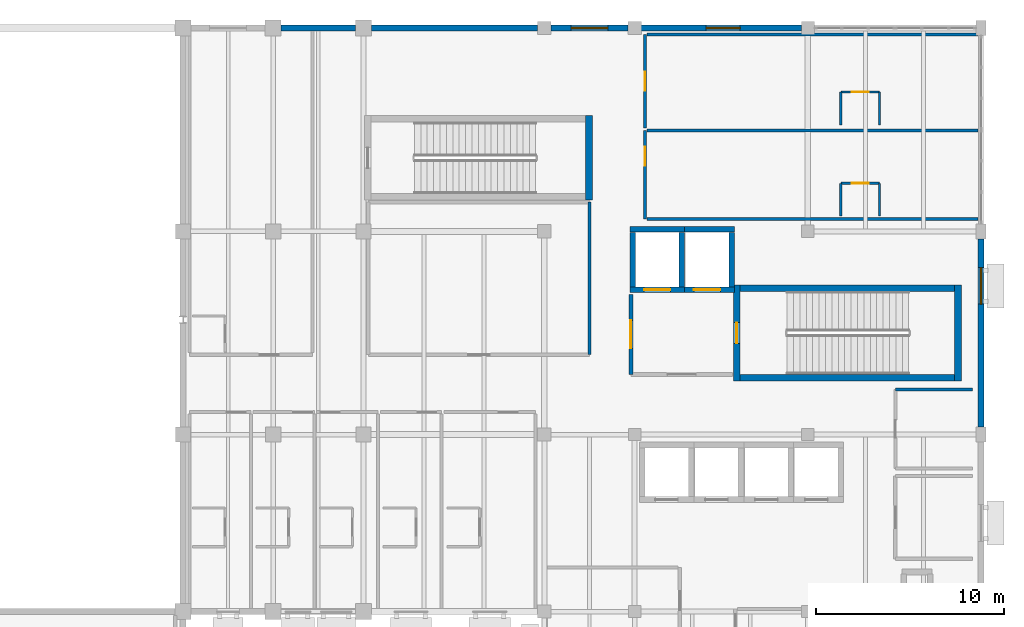
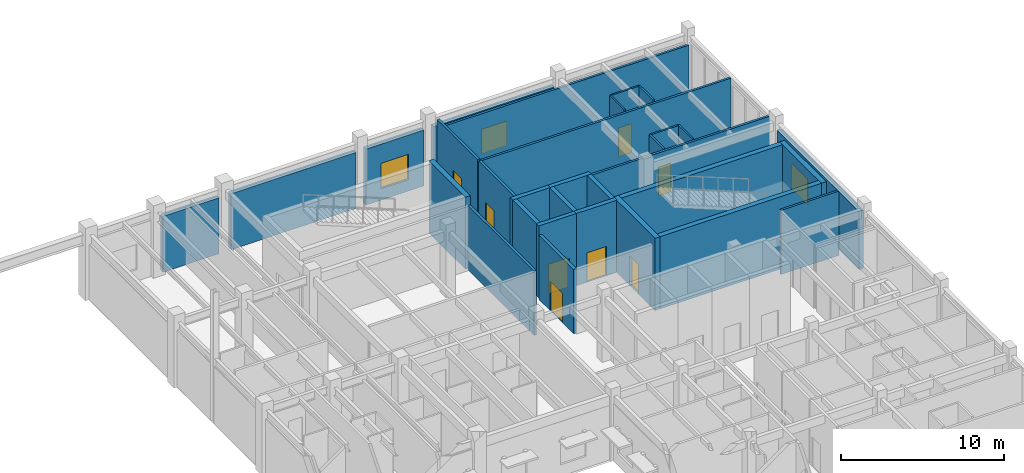
# One storey, part 56 of 68: 31 walls, 8 doors, 3 windows, 11 openings.
"""IFC4 building model written with IfcOpenShell, lengths in metres."""

import ifcopenshell
import ifcopenshell.guid

model = None  # the IFC model being written
_history = None  # IfcOwnerHistory: only IFC2X3 demands one
_inside = {}  # id of a spatial element -> (the spatial element, [elements in it])
_under = {}  # id of a project, library or spatial element -> (it, [spatial elements below it])
_declared = {}  # id of a project -> (the project, [libraries it declares])
_typed = {}  # id of a type object -> (the type object, [elements of that type])
_made_of = {}  # id of a material, layer set ... -> (it, [elements and type objects made of it])


def new_model(schema):
    """Start an empty IFC model of exactly this schema.

    Asked for "IFC4X3", IfcOpenShell would pick the latest addendum, in which some entities
    have other attributes; the version numbers below select the first issue.
    IFC2X3 requires an IfcOwnerHistory on every rooted entity: one is made here for all.
    """
    global model, _history
    if schema == "IFC4X3":
        model = ifcopenshell.file(schema_version=(4, 3, 0, 0))
    else:
        model = ifcopenshell.file(schema=schema)
    _inside.clear()
    _under.clear()
    _declared.clear()
    _typed.clear()
    _made_of.clear()
    _history = None
    if model.schema == "IFC2X3":
        org = make("IfcOrganization", Name="unknown")
        user = make(
            "IfcPersonAndOrganization",
            ThePerson=make("IfcPerson", FamilyName="unknown"),
            TheOrganization=org,
        )
        app = make(
            "IfcApplication",
            ApplicationDeveloper=org,
            Version="unknown",
            ApplicationFullName="unknown",
            ApplicationIdentifier="unknown",
        )
        _history = make(
            "IfcOwnerHistory",
            OwningUser=user,
            OwningApplication=app,
            ChangeAction="ADDED",
            CreationDate=0,
        )
    return model


def make(cls, **values):
    """One entity of the class cls with the attributes given. An attribute that is None is left unset."""
    return model.create_entity(
        cls, **{name: value for name, value in values.items() if value is not None}
    )


def rooted(cls, **values):
    """An entity with a GlobalId (a new one), such as an element, a storey or a relation."""
    return make(cls, GlobalId=ifcopenshell.guid.new(), OwnerHistory=_history, **values)


def si_unit(unit_type, name, prefix=None):
    """IfcSIUnit, for example si_unit("LENGTHUNIT", "METRE", prefix="MILLI")."""
    return make("IfcSIUnit", UnitType=unit_type, Prefix=prefix, Name=name)


def assignment(units):
    """IfcUnitAssignment: the units of a project."""
    return None if units is None else make("IfcUnitAssignment", Units=units)


def point(xyz):
    """IfcCartesianPoint."""
    return None if xyz is None else make("IfcCartesianPoint", Coordinates=xyz)


def direction(xyz):
    """IfcDirection."""
    return None if xyz is None else make("IfcDirection", DirectionRatios=xyz)


def frame(location, z_axis=None, x_axis=None):
    """IfcAxis2Placement3D, a coordinate frame: its origin and axes. An axis left out is left unset."""
    return make(
        "IfcAxis2Placement3D",
        Location=point(location),
        Axis=direction(z_axis),
        RefDirection=direction(x_axis),
    )


def frame_2d(location, x_axis=None):
    """IfcAxis2Placement2D, a coordinate frame in the plane: its origin and x axis."""
    return make(
        "IfcAxis2Placement2D", Location=point(location), RefDirection=direction(x_axis)
    )


def origin():
    """The frame at (0, 0, 0) with its axes left unset."""
    return frame((0.0, 0.0, 0.0))


def place(relative_to, where):
    """IfcLocalPlacement: puts the frame where relative to a parent placement (None: the world)."""
    return make(
        "IfcLocalPlacement", PlacementRelTo=relative_to, RelativePlacement=where
    )


def context(
    kind, dimensions, precision=None, world=None, true_north=None, identifier=None
):
    """IfcGeometricRepresentationContext, for example the 3D "Model" context."""
    return make(
        "IfcGeometricRepresentationContext",
        ContextIdentifier=identifier,
        ContextType=kind,
        CoordinateSpaceDimension=dimensions,
        Precision=precision,
        WorldCoordinateSystem=world,
        TrueNorth=true_north,
    )


def subcontext(parent, identifier, kind, view, scale=None):
    """IfcGeometricRepresentationSubContext, for example "Body" below "Model"."""
    return make(
        "IfcGeometricRepresentationSubContext",
        ContextIdentifier=identifier,
        ContextType=kind,
        ParentContext=parent,
        TargetScale=scale,
        TargetView=view,
    )


def project(units=None, contexts=None):
    """IfcProject with its units and contexts."""
    return rooted(
        "IfcProject",
        Name="project",
        RepresentationContexts=contexts,
        UnitsInContext=assignment(units),
    )


def spatial(cls, under=None, at=None, **own):
    """A site, building, storey or space (cls), placed at a placement, below another one or the project."""
    s = rooted(cls, ObjectPlacement=at, **own)
    if under is not None:
        _under.setdefault(under.id(), (under, []))[1].append(s)
    return s


def profile(cls, at=None, kind="AREA", **sizes):
    """A parametric profile (cls). Its sizes go by their IFC names, for example OverallWidth=200.0."""
    return make(cls, ProfileType=kind, Position=at, **sizes)


def rectangle(**sizes):
    """IfcRectangleProfileDef."""
    return profile("IfcRectangleProfileDef", **sizes)


def extrude(swept, where, along, depth):
    """IfcExtrudedAreaSolid: the profile swept, set in the frame where, extruded along a direction by depth."""
    return make(
        "IfcExtrudedAreaSolid",
        SweptArea=swept,
        Position=where,
        ExtrudedDirection=direction(along),
        Depth=depth,
    )


def shape(context_of_items, identifier, shape_type, items):
    """IfcShapeRepresentation: the items that make up one representation, for example the "Body"."""
    return make(
        "IfcShapeRepresentation",
        ContextOfItems=context_of_items,
        RepresentationIdentifier=identifier,
        RepresentationType=shape_type,
        Items=items,
    )


def material(Name=None, Category=None):
    """IfcMaterial."""
    return make("IfcMaterial", Name=Name, Category=Category)


def layer(
    of_material, thickness, ventilated=None, Name=None, Category=None, Priority=None
):
    """IfcMaterialLayer: one layer of a wall or slab, of a material (None: an air gap)."""
    return make(
        "IfcMaterialLayer",
        Material=of_material,
        LayerThickness=thickness,
        IsVentilated=ventilated,
        Name=Name,
        Category=Category,
        Priority=Priority,
    )


def layer_set(layers, Name=None):
    """IfcMaterialLayerSet."""
    return make("IfcMaterialLayerSet", MaterialLayers=layers, LayerSetName=Name)


def made_of(thing, what):
    """Note that an element or type object is made of a material, layer set ...; save() writes the relation."""
    if what is not None:
        _made_of.setdefault(what.id(), (what, []))[1].append(thing)
    return thing


def type_object(cls, material=None, **own):
    """A type object (cls), such as IfcWallType, which elements share."""
    return made_of(rooted(cls, **own), material)


def element(
    cls,
    number,
    at=None,
    inside=None,
    cuts=None,
    type_object=None,
    material=None,
    context=None,
    identifier="Body",
    shape_type=None,
    held_by="IfcProductDefinitionShape",
    body=None,
    shapes=None,
    **own,
):
    """One element of the class cls, such as IfcWall. Its Tag is "e" and its number.

    at: its placement. inside: the storey or other place that contains it. cuts: it is an
    opening in that element (IfcRelVoidsElement). A single representation is given by context,
    identifier, shape_type and body (its items); several are given by shapes. held_by: the class
    of the entity that holds the representations. save() writes the other relations.
    """
    e = rooted(cls, Tag="e%d" % number, ObjectPlacement=at, **own)
    if body is not None:
        shapes = [shape(context, identifier, shape_type, body)]
    if shapes is not None:
        e.Representation = make(held_by, Representations=shapes)
    if inside is not None:
        _inside.setdefault(inside.id(), (inside, []))[1].append(e)
    if cuts is not None:
        rooted(
            "IfcRelVoidsElement", RelatingBuildingElement=cuts, RelatedOpeningElement=e
        )
    if type_object is not None:
        _typed.setdefault(type_object.id(), (type_object, []))[1].append(e)
    return made_of(e, material)


def fill(opening, filler):
    """IfcRelFillsElement: the door or window that sits in an opening."""
    return rooted(
        "IfcRelFillsElement",
        RelatingOpeningElement=opening,
        RelatedBuildingElement=filler,
    )


def aggregate(whole, parts):
    """IfcRelAggregates: a whole, such as a stair, and the parts it consists of."""
    return rooted("IfcRelAggregates", RelatingObject=whole, RelatedObjects=parts)


def save(model, path):
    """Write the relations noted so far, then the file.

    IfcRelAggregates (storeys below a building ...), IfcRelContainedInSpatialStructure (elements
    in a storey), IfcRelDefinesByType, IfcRelAssociatesMaterial and IfcRelDeclares: one each for
    every whole, place, type object, material and project.
    """
    for whole, parts in _under.values():
        aggregate(whole, parts)
    for where, things in _inside.values():
        rooted(
            "IfcRelContainedInSpatialStructure",
            RelatedElements=things,
            RelatingStructure=where,
        )
    for kind, things in _typed.values():
        rooted("IfcRelDefinesByType", RelatedObjects=things, RelatingType=kind)
    for what, things in _made_of.values():
        rooted("IfcRelAssociatesMaterial", RelatedObjects=things, RelatingMaterial=what)
    for by, libraries in _declared.values():
        rooted("IfcRelDeclares", RelatingContext=by, RelatedDefinitions=libraries)
    model.write(path)


model = new_model("IFC4")

# Units and contexts
model_context = context("Model", 3, precision=1e-05, world=origin(), true_north=direction((0.0, 1.0)))
body_context = subcontext(model_context, "Body", "Model", "MODEL_VIEW")
ifc_project = project(units=[si_unit("LENGTHUNIT", "METRE"), si_unit("AREAUNIT", "SQUARE_METRE"), si_unit("VOLUMEUNIT", "CUBIC_METRE"), si_unit("PLANEANGLEUNIT", "RADIAN"), si_unit("MASSUNIT", "GRAM", prefix="KILO")], contexts=[model_context])

# Site, building, storey
site_placement = place(None, origin())
site = spatial("IfcSite", under=ifc_project, at=site_placement, CompositionType="ELEMENT")
building_placement = place(site_placement, origin())
building = spatial("IfcBuilding", under=site, at=building_placement, Name="Veldera Park Congress Hotel", CompositionType="ELEMENT")
storey_placement = place(building_placement, frame((0.0, 0.0, 10.800048828125)))
storey = spatial("IfcBuildingStorey", under=building, at=storey_placement, Name="L02", CompositionType="ELEMENT", Elevation=10.800048828125)

# Wall, opening, window
ifc_material_1 = material(Name="Cross-laminated timber CLT V2M1.1", Category="wood")
ifc_layer_1 = layer(ifc_material_1, 0.320068359375)
ifc_layer_set_1 = layer_set([ifc_layer_1], Name="Cross-laminated timber CLT V2M1.1")
wall_type_1 = type_object("IfcWallType", Name="EW-CLT320", PredefinedType="STANDARD", material=ifc_layer_set_1)
wall_1_placement = place(storey_placement, frame((84.0, 36.798095703125, 0.0), z_axis=(0.0, 0.0, 1.0), x_axis=(0.0, 1.0, 0.0)))
wall_1 = element("IfcWall", 1, at=wall_1_placement, inside=storey, type_object=wall_type_1, Name="L02 Exterior Wall EW3-L02-0185", PredefinedType="STANDARD", context=body_context, shape_type="SweptSolid", body=[
    extrude(rectangle(XDim=10.00390625, YDim=0.320068359375, at=frame_2d((5.001953125, 0.0))), origin(), (0.0, 0.0, 1.0), 4.33203125),
])
opening_1_placement = place(wall_1_placement, frame((6.528076171875, 0.0, 0.85009765625)))
opening_1 = element("IfcOpeningElement", 2, at=opening_1_placement, cuts=wall_1, Name="Opening WIN-1950", PredefinedType="OPENING", context=body_context, shape_type="SweptSolid", body=[
    extrude(rectangle(XDim=1.949951171875, YDim=1.89990234375, at=frame_2d((0.97509765625, 0.949951171875))), frame((0.0, 0.172119140625, 0.0), z_axis=(0.0, -1.0, 0.0), x_axis=(1.0, 0.0, 0.0)), (0.0, 0.0, 1.0), 0.343994140625),
])
ifc_material_2 = material(Name="Low-E Triple Insulating Glass Unit (SHGC 0.22)", Category="glass")
window_type_1 = type_object("IfcWindowType", Name="WIN-1950", PartitioningType="DOUBLE_PANEL_VERTICAL", PredefinedType="WINDOW", material=ifc_material_2)
window_1_placement = place(opening_1_placement, origin())
window_1 = element("IfcWindow", 3, at=window_1_placement, inside=storey, type_object=window_type_1, Name="L02 Window WIN-1950 181", OverallHeight=1.89990234375, OverallWidth=1.949951171875, PartitioningType="DOUBLE_PANEL_VERTICAL", PredefinedType="WINDOW", context=body_context, shape_type="SweptSolid", body=[
    extrude(rectangle(XDim=1.949951171875, YDim=1.89990234375, at=frame_2d((0.97509765625, 0.949951171875))), frame((0.0, 0.030029296875, 0.0), z_axis=(0.0, -1.0, 0.0), x_axis=(1.0, 0.0, 0.0)), (0.0, 0.0, 1.0), 0.06005859375),
])
fill(opening_1, window_1)

wall_2_placement = place(storey_placement, frame((74.451904296875, 58.0, 0.0), z_axis=(0.0, 0.0, 1.0), x_axis=(-1.0, 0.0, 0.0)))
wall_2 = element("IfcWall", 4, at=wall_2_placement, inside=storey, type_object=wall_type_1, Name="L02 Exterior Wall EW3-L02-0186", PredefinedType="STANDARD", context=body_context, shape_type="SweptSolid", body=[
    extrude(rectangle(XDim=8.50390625, YDim=0.320068359375, at=frame_2d((4.251953125, 0.0))), origin(), (0.0, 0.0, 1.0), 4.182861328125),
])
opening_2_placement = place(wall_2_placement, frame((3.2509765625, 0.0, 0.85009765625)))
opening_2 = element("IfcOpeningElement", 5, at=opening_2_placement, cuts=wall_2, Name="Opening WIN-1800", PredefinedType="OPENING", context=body_context, shape_type="SweptSolid", body=[
    extrude(rectangle(XDim=1.800048828125, YDim=1.85009765625, at=frame_2d((0.89990234375, 0.925048828125))), frame((0.0, 0.172119140625, 0.0), z_axis=(0.0, -1.0, 0.0), x_axis=(1.0, 0.0, 0.0)), (0.0, 0.0, 1.0), 0.343994140625),
])
window_type_2 = type_object("IfcWindowType", Name="WIN-1800", PartitioningType="SINGLE_PANEL", PredefinedType="WINDOW", material=ifc_material_2)
window_2_placement = place(opening_2_placement, origin())
window_2 = element("IfcWindow", 6, at=window_2_placement, inside=storey, type_object=window_type_2, Name="L02 Window WIN-1800 398", OverallHeight=1.85009765625, OverallWidth=1.800048828125, PartitioningType="SINGLE_PANEL", PredefinedType="WINDOW", context=body_context, shape_type="SweptSolid", body=[
    extrude(rectangle(XDim=1.800048828125, YDim=1.85009765625, at=frame_2d((0.89990234375, 0.925048828125))), frame((0.0, 0.030029296875, 0.0), z_axis=(0.0, -1.0, 0.0), x_axis=(1.0, 0.0, 0.0)), (0.0, 0.0, 1.0), 0.06005859375),
])
fill(opening_2, window_2)

wall_3_placement = place(storey_placement, frame((65.251953125, 58.0, 0.0), z_axis=(0.0, 0.0, 1.0), x_axis=(-1.0, 0.0, 0.0)))
wall_3 = element("IfcWall", 7, at=wall_3_placement, inside=storey, type_object=wall_type_1, Name="L02 Exterior Wall EW3-L02-0187", PredefinedType="STANDARD", context=body_context, shape_type="SweptSolid", body=[
    extrude(rectangle(XDim=4.10400390625, YDim=0.320068359375, at=frame_2d((2.052001953125, 0.0))), origin(), (0.0, 0.0, 1.0), 4.182861328125),
])
opening_3_placement = place(wall_3_placement, frame((1.076904296875, 0.0, 0.85009765625)))
opening_3 = element("IfcOpeningElement", 8, at=opening_3_placement, cuts=wall_3, Name="Opening WIN-1950", PredefinedType="OPENING", context=body_context, shape_type="SweptSolid", body=[
    extrude(rectangle(XDim=1.949951171875, YDim=1.89990234375, at=frame_2d((0.97509765625, 0.949951171875))), frame((0.0, 0.172119140625, 0.0), z_axis=(0.0, -1.0, 0.0), x_axis=(1.0, 0.0, 0.0)), (0.0, 0.0, 1.0), 0.343994140625),
])
window_3_placement = place(opening_3_placement, origin())
window_3 = element("IfcWindow", 9, at=window_3_placement, inside=storey, type_object=window_type_1, Name="L02 Window WIN-1950 182", OverallHeight=1.89990234375, OverallWidth=1.949951171875, PartitioningType="DOUBLE_PANEL_VERTICAL", PredefinedType="WINDOW", context=body_context, shape_type="SweptSolid", body=[
    extrude(rectangle(XDim=1.949951171875, YDim=1.89990234375, at=frame_2d((0.97509765625, 0.949951171875))), frame((0.0, 0.030029296875, 0.0), z_axis=(0.0, -1.0, 0.0), x_axis=(1.0, 0.0, 0.0)), (0.0, 0.0, 1.0), 0.06005859375),
])
fill(opening_3, window_3)

# Walls
wall_4_placement = place(storey_placement, frame((60.451904296875, 58.0, 0.0), z_axis=(0.0, 0.0, 1.0), x_axis=(-1.0, 0.0, 0.0)))
element("IfcWall", 10, at=wall_4_placement, inside=storey, type_object=wall_type_1, Name="L02 Exterior Wall EW3-L02-0188", PredefinedType="STANDARD", context=body_context, shape_type="SweptSolid", body=[
    extrude(rectangle(XDim=8.828857421875, YDim=0.320068359375, at=frame_2d((4.41455078125, 0.0))), origin(), (0.0, 0.0, 1.0), 4.182861328125),
])
wall_5_placement = place(storey_placement, frame((50.777099609375, 58.0, 0.0), z_axis=(0.0, 0.0, 1.0), x_axis=(-1.0, 0.0, 0.0)))
element("IfcWall", 11, at=wall_5_placement, inside=storey, type_object=wall_type_1, Name="L02 Exterior Wall EW3-L02-0189", PredefinedType="STANDARD", context=body_context, shape_type="SweptSolid", body=[
    extrude(rectangle(XDim=3.9541015625, YDim=0.320068359375, at=frame_2d((1.97705078125, 0.0))), origin(), (0.0, 0.0, 1.0), 4.182861328125),
])
ifc_material_3 = material(Name="Fire-Rated Gypsum Board on Cold-Formed Steel Studs", Category="steel")
ifc_layer_2 = layer(ifc_material_3, 0.1201171875)
ifc_layer_set_2 = layer_set([ifc_layer_2], Name="Fire-Rated Gypsum Board on Cold-Formed Steel Studs")
wall_type_2 = type_object("IfcWallType", Name="IW-BATH120", PredefinedType="PARTITIONING", material=ifc_layer_set_2)
for number, where, z_axis, x_axis, name in (
    (12, (76.550048828125, 48.0, 0.0), (0.0, 0.0, 1.0), (0.0, 1.0, 0.0), "L02 Partition Wall IW3-L02-00574"),
    (13, (78.60009765625, 48.0, 0.0), (0.0, 0.0, 1.0), (0.0, 1.0, 0.0), "L02 Partition Wall IW3-L02-00575"),
):
    element("IfcWall", number, at=place(storey_placement, frame(where, z_axis=z_axis, x_axis=x_axis)), inside=storey, type_object=wall_type_2, Name=name, PredefinedType="PARTITIONING", context=body_context, shape_type="SweptSolid", body=[
        extrude(rectangle(XDim=1.75, YDim=0.1201171875, at=frame_2d((0.875, 0.0))), origin(), (0.0, 0.0, 1.0), 4.800048828125),
    ])

# Wall, opening, door
wall_6_placement = place(storey_placement, frame((76.550048828125, 49.75, 0.0), z_axis=(0.0, 0.0, 1.0), x_axis=(1.0, 0.0, 0.0)))
wall_6 = element("IfcWall", 14, at=wall_6_placement, inside=storey, type_object=wall_type_2, Name="L02 Partition Wall IW3-L02-00576", PredefinedType="PARTITIONING", context=body_context, shape_type="SweptSolid", body=[
    extrude(rectangle(XDim=2.050048828125, YDim=0.1201171875, at=frame_2d((1.02490234375, 0.0))), origin(), (0.0, 0.0, 1.0), 4.800048828125),
])
opening_4_placement = place(wall_6_placement, frame((0.574951171875, 0.0, 0.0)))
opening_4 = element("IfcOpeningElement", 15, at=opening_4_placement, cuts=wall_6, Name="Opening ID-BATH090", PredefinedType="OPENING", context=body_context, shape_type="SweptSolid", body=[
    extrude(rectangle(XDim=0.89990234375, YDim=2.14990234375, at=frame_2d((0.449951171875, 1.074951171875))), frame((0.0, 0.072021484375, 0.0), z_axis=(0.0, -1.0, 0.0), x_axis=(1.0, 0.0, 0.0)), (0.0, 0.0, 1.0), 0.14404296875),
])
ifc_material_4 = material(Name="Solid Core White Oak Architectural Door", Category="wood")
door_type_1 = type_object("IfcDoorType", Name="ID-BATH090", OperationType="NOTDEFINED", PredefinedType="DOOR", material=ifc_material_4)
door_1_placement = place(opening_4_placement, origin())
door_1 = element("IfcDoor", 16, at=door_1_placement, inside=storey, type_object=door_type_1, Name="L02 En-suite 046 Door ID3-L02-0231 (DR3-ID3-L02-0231)", OperationType="SINGLE_SWING_LEFT", OverallHeight=2.14990234375, OverallWidth=0.89990234375, PredefinedType="DOOR", context=body_context, shape_type="SweptSolid", body=[
    extrude(rectangle(XDim=0.89990234375, YDim=2.14990234375, at=frame_2d((0.449951171875, 1.074951171875))), frame((0.0, 0.02490234375, 0.0), z_axis=(0.0, -1.0, 0.0), x_axis=(1.0, 0.0, 0.0)), (0.0, 0.0, 1.0), 0.050048828125),
])
fill(opening_4, door_1)

# Walls
for number, where, z_axis, x_axis, name in (
    (17, (76.550048828125, 52.85009765625, 0.0), (0.0, 0.0, 1.0), (0.0, 1.0, 0.0), "L02 Partition Wall IW3-L02-00579"),
    (18, (78.60009765625, 52.85009765625, 0.0), (0.0, 0.0, 1.0), (0.0, 1.0, 0.0), "L02 Partition Wall IW3-L02-00580"),
):
    element("IfcWall", number, at=place(storey_placement, frame(where, z_axis=z_axis, x_axis=x_axis)), inside=storey, type_object=wall_type_2, Name=name, PredefinedType="PARTITIONING", context=body_context, shape_type="SweptSolid", body=[
        extrude(rectangle(XDim=1.75, YDim=0.1201171875, at=frame_2d((0.875, 0.0))), origin(), (0.0, 0.0, 1.0), 4.800048828125),
    ])

# Wall, opening, door
wall_7_placement = place(storey_placement, frame((76.550048828125, 54.60009765625, 0.0), z_axis=(0.0, 0.0, 1.0), x_axis=(1.0, 0.0, 0.0)))
wall_7 = element("IfcWall", 19, at=wall_7_placement, inside=storey, type_object=wall_type_2, Name="L02 Partition Wall IW3-L02-00581", PredefinedType="PARTITIONING", context=body_context, shape_type="SweptSolid", body=[
    extrude(rectangle(XDim=2.050048828125, YDim=0.1201171875, at=frame_2d((1.02490234375, 0.0))), origin(), (0.0, 0.0, 1.0), 4.800048828125),
])
opening_5_placement = place(wall_7_placement, frame((0.574951171875, 0.0, 0.0)))
opening_5 = element("IfcOpeningElement", 20, at=opening_5_placement, cuts=wall_7, Name="Opening ID-BATH090", PredefinedType="OPENING", context=body_context, shape_type="SweptSolid", body=[
    extrude(rectangle(XDim=0.89990234375, YDim=2.14990234375, at=frame_2d((0.449951171875, 1.074951171875))), frame((0.0, 0.072021484375, 0.0), z_axis=(0.0, -1.0, 0.0), x_axis=(1.0, 0.0, 0.0)), (0.0, 0.0, 1.0), 0.14404296875),
])
door_2_placement = place(opening_5_placement, origin())
door_2 = element("IfcDoor", 21, at=door_2_placement, inside=storey, type_object=door_type_1, Name="L02 En-suite 047 Door ID3-L02-0233 (DR3-ID3-L02-0233)", OperationType="SINGLE_SWING_LEFT", OverallHeight=2.14990234375, OverallWidth=0.89990234375, PredefinedType="DOOR", context=body_context, shape_type="SweptSolid", body=[
    extrude(rectangle(XDim=0.89990234375, YDim=2.14990234375, at=frame_2d((0.449951171875, 1.074951171875))), frame((0.0, 0.02490234375, 0.0), z_axis=(0.0, -1.0, 0.0), x_axis=(1.0, 0.0, 0.0)), (0.0, 0.0, 1.0), 0.050048828125),
])
fill(opening_5, door_2)

# Wall
ifc_layer_3 = layer(ifc_material_3, 0.179931640625)
ifc_layer_set_3 = layer_set([ifc_layer_3], Name="Fire-Rated Gypsum Board on Cold-Formed Steel Studs")
wall_type_3 = type_object("IfcWallType", Name="IW-CORR180", PredefinedType="PARTITIONING", material=ifc_layer_set_3)
wall_8_placement = place(storey_placement, frame((63.199951171875, 40.64990234375, 0.0), z_axis=(0.0, 0.0, 1.0), x_axis=(0.0, 1.0, 0.0)))
element("IfcWall", 22, at=wall_8_placement, inside=storey, type_object=wall_type_3, Name="L02 Partition Wall IW3-L02-00208", PredefinedType="PARTITIONING", context=body_context, shape_type="SweptSolid", body=[
    extrude(rectangle(XDim=8.10009765625, YDim=0.179931640625, at=frame_2d((4.050048828125, 0.0))), origin(), (0.0, 0.0, 1.0), 4.800048828125),
])

# Wall, opening, door
wall_9_placement = place(storey_placement, frame((66.14990234375, 52.550048828125, 0.0), z_axis=(0.0, 0.0, 1.0), x_axis=(0.0, -1.0, 0.0)))
wall_9 = element("IfcWall", 23, at=wall_9_placement, inside=storey, type_object=wall_type_3, Name="L02 Corridor Wall IW3-L02-00571", PredefinedType="PARTITIONING", context=body_context, shape_type="SweptSolid", body=[
    extrude(rectangle(XDim=4.699951171875, YDim=0.179931640625, at=frame_2d((2.35009765625, 0.0))), origin(), (0.0, 0.0, 1.0), 4.800048828125),
])
opening_6_placement = place(wall_9_placement, frame((0.8701171875, 0.0, 0.0)))
opening_6 = element("IfcOpeningElement", 24, at=opening_6_placement, cuts=wall_9, Name="Opening ID-UNIT100", PredefinedType="OPENING", context=body_context, shape_type="SweptSolid", body=[
    extrude(rectangle(XDim=1.0, YDim=2.199951171875, at=frame_2d((0.5, 1.10009765625))), frame((0.0, 0.10205078125, 0.0), z_axis=(0.0, -1.0, 0.0), x_axis=(1.0, 0.0, 0.0)), (0.0, 0.0, 1.0), 0.203857421875),
])
door_type_2 = type_object("IfcDoorType", Name="ID-UNIT100", OperationType="NOTDEFINED", PredefinedType="DOOR", material=ifc_material_4)
door_3_placement = place(opening_6_placement, origin())
door_3 = element("IfcDoor", 25, at=door_3_placement, inside=storey, type_object=door_type_2, Name="L02 Guestroom 046 Entry Door (DR3-UD3-L02-046)", OperationType="SINGLE_SWING_RIGHT", OverallHeight=2.199951171875, OverallWidth=1.0, PredefinedType="DOOR", context=body_context, shape_type="SweptSolid", body=[
    extrude(rectangle(XDim=1.0, YDim=2.199951171875, at=frame_2d((0.5, 1.10009765625))), frame((0.0, 0.02490234375, 0.0), z_axis=(0.0, -1.0, 0.0), x_axis=(1.0, 0.0, 0.0)), (0.0, 0.0, 1.0), 0.050048828125),
])
fill(opening_6, door_3)

wall_10_placement = place(storey_placement, frame((66.14990234375, 57.64990234375, 0.0), z_axis=(0.0, 0.0, 1.0), x_axis=(0.0, -1.0, 0.0)))
wall_10 = element("IfcWall", 26, at=wall_10_placement, inside=storey, type_object=wall_type_3, Name="L02 Corridor Wall IW3-L02-00577", PredefinedType="PARTITIONING", context=body_context, shape_type="SweptSolid", body=[
    extrude(rectangle(XDim=4.949951171875, YDim=0.179931640625, at=frame_2d((2.47509765625, 0.0))), origin(), (0.0, 0.0, 1.0), 4.800048828125),
])
opening_7_placement = place(wall_10_placement, frame((1.97509765625, 0.0, 0.0)))
opening_7 = element("IfcOpeningElement", 27, at=opening_7_placement, cuts=wall_10, Name="Opening ID-UNIT100", PredefinedType="OPENING", context=body_context, shape_type="SweptSolid", body=[
    extrude(rectangle(XDim=1.0, YDim=2.199951171875, at=frame_2d((0.5, 1.10009765625))), frame((0.0, 0.10205078125, 0.0), z_axis=(0.0, -1.0, 0.0), x_axis=(1.0, 0.0, 0.0)), (0.0, 0.0, 1.0), 0.203857421875),
])
door_4_placement = place(opening_7_placement, origin())
door_4 = element("IfcDoor", 28, at=door_4_placement, inside=storey, type_object=door_type_2, Name="L02 Guestroom 047 Entry Door (DR3-UD3-L02-047)", OperationType="SINGLE_SWING_RIGHT", OverallHeight=2.199951171875, OverallWidth=1.0, PredefinedType="DOOR", context=body_context, shape_type="SweptSolid", body=[
    extrude(rectangle(XDim=1.0, YDim=2.199951171875, at=frame_2d((0.5, 1.10009765625))), frame((0.0, 0.02490234375, 0.0), z_axis=(0.0, -1.0, 0.0), x_axis=(1.0, 0.0, 0.0)), (0.0, 0.0, 1.0), 0.050048828125),
])
fill(opening_7, door_4)

ifc_material_5 = material(Name="Concrete f'c 40 MPa (5,800 psi)", Category="concrete")
ifc_layer_4 = layer(ifc_material_5, 0.219970703125)
ifc_layer_set_4 = layer_set([ifc_layer_4], Name="Concrete f'c 40 MPa (5,800 psi)")
wall_type_4 = type_object("IfcWallType", Name="IW-FIRE220", PredefinedType="STANDARD", material=ifc_layer_set_4)
wall_11_placement = place(storey_placement, frame((65.39990234375, 43.85009765625, 0.0), z_axis=(0.0, 0.0, 1.0), x_axis=(0.0, -1.0, 0.0)))
wall_11 = element("IfcWall", 29, at=wall_11_placement, inside=storey, type_object=wall_type_4, Name="L02 Partition Wall IW3-L02-00170", PredefinedType="STANDARD", context=body_context, shape_type="SweptSolid", body=[
    extrude(rectangle(XDim=4.25, YDim=0.219970703125, at=frame_2d((2.125, 0.0))), origin(), (0.0, 0.0, 1.0), 4.800048828125),
])
opening_8_placement = place(wall_11_placement, frame((1.375, 0.0, 0.0)))
opening_8 = element("IfcOpeningElement", 30, at=opening_8_placement, cuts=wall_11, Name="Opening ID-LOB150", PredefinedType="OPENING", context=body_context, shape_type="SweptSolid", body=[
    extrude(rectangle(XDim=1.5, YDim=2.199951171875, at=frame_2d((0.75, 1.10009765625))), frame((0.0, 0.1220703125, 0.0), z_axis=(0.0, -1.0, 0.0), x_axis=(1.0, 0.0, 0.0)), (0.0, 0.0, 1.0), 0.243896484375),
])
ifc_material_6 = material(Name="Hollow Metal Fire-Rated Steel Door", Category="steel")
door_type_3 = type_object("IfcDoorType", Name="ID-LOB150", OperationType="DOUBLE_DOOR_SINGLE_SWING", PredefinedType="DOOR", material=ifc_material_6)
door_5_placement = place(opening_8_placement, origin())
door_5 = element("IfcDoor", 31, at=door_5_placement, inside=storey, type_object=door_type_3, Name="L02 Firefighting Lobby Door ID3-L02-0060 (DR3-ID3-L02-0060)", OperationType="DOUBLE_DOOR_SINGLE_SWING", OverallHeight=2.199951171875, OverallWidth=1.5, PredefinedType="DOOR", context=body_context, shape_type="SweptSolid", body=[
    extrude(rectangle(XDim=1.5, YDim=2.199951171875, at=frame_2d((0.75, 1.10009765625))), frame((0.0, 0.02490234375, 0.0), z_axis=(0.0, -1.0, 0.0), x_axis=(1.0, 0.0, 0.0)), (0.0, 0.0, 1.0), 0.050048828125),
])
fill(opening_8, door_5)

# Walls
ifc_layer_5 = layer(ifc_material_3, 0.14990234375)
ifc_layer_set_5 = layer_set([ifc_layer_5], Name="Fire-Rated Gypsum Board on Cold-Formed Steel Studs")
wall_type_5 = type_object("IfcWallType", Name="IW-PLMB150", PredefinedType="PLUMBINGWALL", material=ifc_layer_set_5)
wall_12_placement = place(storey_placement, frame((83.550048828125, 38.800048828125, 0.0), z_axis=(0.0, 0.0, 1.0), x_axis=(-1.0, 0.0, 0.0)))
element("IfcWall", 32, at=wall_12_placement, inside=storey, type_object=wall_type_5, Name="L02 Partition Wall IW3-L02-00205", PredefinedType="PLUMBINGWALL", context=body_context, shape_type="SweptSolid", body=[
    extrude(rectangle(XDim=4.10009765625, YDim=0.14990234375, at=frame_2d((2.050048828125, 0.0))), origin(), (0.0, 0.0, 1.0), 4.800048828125),
])
ifc_layer_6 = layer(ifc_material_1, 0.159912109375)
ifc_layer_set_6 = layer_set([ifc_layer_6], Name="Cross-laminated timber CLT V2M1.1")
wall_type_6 = type_object("IfcWallType", Name="IW-UNIT160", PredefinedType="PARTITIONING", material=ifc_layer_set_6)
for number, where, z_axis, x_axis, name in (
    (33, (66.25, 47.85009765625, 0.0), (0.0, 0.0, 1.0), (1.0, 0.0, 0.0), "L02 Partition Wall IW3-L02-00572"),
    (34, (66.25, 52.550048828125, 0.0), (0.0, 0.0, 1.0), (1.0, 0.0, 0.0), "L02 Partition Wall IW3-L02-00573"),
):
    element("IfcWall", number, at=place(storey_placement, frame(where, z_axis=z_axis, x_axis=x_axis)), inside=storey, type_object=wall_type_6, Name=name, PredefinedType="PARTITIONING", context=body_context, shape_type="SweptSolid", body=[
        extrude(rectangle(XDim=17.590087890625, YDim=0.159912109375, at=frame_2d((8.794921875, 0.0))), origin(), (0.0, 0.0, 1.0), 4.800048828125),
    ])
wall_13_placement = place(storey_placement, frame((66.25, 57.64990234375, 0.0), z_axis=(0.0, 0.0, 1.0), x_axis=(1.0, 0.0, 0.0)))
element("IfcWall", 35, at=wall_13_placement, inside=storey, type_object=wall_type_6, Name="L02 Partition Wall IW3-L02-00578", PredefinedType="PARTITIONING", context=body_context, shape_type="SweptSolid", body=[
    extrude(rectangle(XDim=17.590087890625, YDim=0.159912109375, at=frame_2d((8.794921875, 0.0))), origin(), (0.0, 0.0, 1.0), 4.182861328125),
])
ifc_layer_7 = layer(ifc_material_5, 0.35009765625)
ifc_layer_set_7 = layer_set([ifc_layer_7], Name="Concrete f'c 40 MPa (5,800 psi)")
wall_type_7 = type_object("IfcWallType", Name="SW-CORE350", PredefinedType="SHEAR", material=ifc_layer_set_7)
wall_14_placement = place(storey_placement, frame((70.85009765625, 39.425048828125, 0.0), z_axis=(0.0, 0.0, 1.0), x_axis=(1.0, 0.0, 0.0)))
element("IfcWall", 36, at=wall_14_placement, inside=storey, type_object=wall_type_7, Name="Stair ST1 Core Wall L02-S", PredefinedType="SHEAR", context=body_context, shape_type="SweptSolid", body=[
    extrude(rectangle(XDim=12.099853515625, YDim=0.35009765625, at=frame_2d((6.0498046875, 0.0))), origin(), (0.0, 0.0, 1.0), 5.39990234375),
])
wall_15_placement = place(storey_placement, frame((82.77490234375, 39.25, 0.0), z_axis=(0.0, 0.0, 1.0), x_axis=(0.0, 1.0, 0.0)))
element("IfcWall", 37, at=wall_15_placement, inside=storey, type_object=wall_type_7, Name="Stair ST1 Core Wall L02-E", PredefinedType="SHEAR", context=body_context, shape_type="SweptSolid", body=[
    extrude(rectangle(XDim=5.10009765625, YDim=0.35009765625, at=frame_2d((2.550048828125, 0.0))), origin(), (0.0, 0.0, 1.0), 5.39990234375),
])
wall_16_placement = place(storey_placement, frame((82.949951171875, 44.175048828125, 0.0), z_axis=(0.0, 0.0, 1.0), x_axis=(-1.0, 0.0, 0.0)))
element("IfcWall", 38, at=wall_16_placement, inside=storey, type_object=wall_type_7, Name="Stair ST1 Core Wall L02-N", PredefinedType="SHEAR", context=body_context, shape_type="SweptSolid", body=[
    extrude(rectangle(XDim=12.099853515625, YDim=0.35009765625, at=frame_2d((6.0498046875, 0.0))), origin(), (0.0, 0.0, 1.0), 5.39990234375),
])

# Wall, opening, door
wall_17_placement = place(storey_placement, frame((71.02490234375, 44.35009765625, 0.0), z_axis=(0.0, 0.0, 1.0), x_axis=(0.0, -1.0, 0.0)))
wall_17 = element("IfcWall", 39, at=wall_17_placement, inside=storey, type_object=wall_type_7, Name="Stair ST1 Core Wall L02-W", PredefinedType="SHEAR", context=body_context, shape_type="SweptSolid", body=[
    extrude(rectangle(XDim=5.10009765625, YDim=0.35009765625, at=frame_2d((2.550048828125, 0.0))), origin(), (0.0, 0.0, 1.0), 5.39990234375),
])
opening_9_placement = place(wall_17_placement, frame((2.0, 0.0, 0.0)))
opening_9 = element("IfcOpeningElement", 40, at=opening_9_placement, cuts=wall_17, Name="Opening ID-STAIR110", PredefinedType="OPENING", context=body_context, shape_type="SweptSolid", body=[
    extrude(rectangle(XDim=1.10009765625, YDim=2.199951171875, at=frame_2d((0.550048828125, 1.10009765625))), frame((0.0, 0.18701171875, 0.0), z_axis=(0.0, -1.0, 0.0), x_axis=(1.0, 0.0, 0.0)), (0.0, 0.0, 1.0), 0.3740234375),
])
door_type_4 = type_object("IfcDoorType", Name="ID-STAIR110", OperationType="NOTDEFINED", PredefinedType="DOOR", material=ifc_material_6)
door_6_placement = place(opening_9_placement, origin())
door_6 = element("IfcDoor", 41, at=door_6_placement, inside=storey, type_object=door_type_4, Name="L02 Stair ST1 Fire Door (DR3-SD-ST1-L02)", OperationType="SINGLE_SWING_RIGHT", OverallHeight=2.199951171875, OverallWidth=1.10009765625, PredefinedType="DOOR", context=body_context, shape_type="SweptSolid", body=[
    extrude(rectangle(XDim=1.10009765625, YDim=2.199951171875, at=frame_2d((0.550048828125, 1.10009765625))), frame((0.0, 0.02490234375, 0.0), z_axis=(0.0, -1.0, 0.0), x_axis=(1.0, 0.0, 0.0)), (0.0, 0.0, 1.0), 0.050048828125),
])
fill(opening_9, door_6)

# Wall
wall_18_placement = place(storey_placement, frame((63.175048828125, 48.85009765625, 0.0), z_axis=(0.0, 0.0, 1.0), x_axis=(0.0, 1.0, 0.0)))
element("IfcWall", 42, at=wall_18_placement, inside=storey, type_object=wall_type_7, Name="Stair ST3 Core Wall L02-E", PredefinedType="SHEAR", context=body_context, shape_type="SweptSolid", body=[
    extrude(rectangle(XDim=4.5, YDim=0.35009765625, at=frame_2d((2.25, 0.0))), origin(), (0.0, 0.0, 1.0), 5.39990234375),
])

# Wall, opening, door
ifc_layer_8 = layer(ifc_material_5, 0.300048828125)
ifc_layer_set_8 = layer_set([ifc_layer_8], Name="Concrete f'c 40 MPa (5,800 psi)")
wall_type_8 = type_object("IfcWallType", Name="SW-SHFT300", PredefinedType="SHEAR", material=ifc_layer_set_8)
wall_19_placement = place(storey_placement, frame((65.35009765625, 44.10009765625, 0.0), z_axis=(0.0, 0.0, 1.0), x_axis=(1.0, 0.0, 0.0)))
wall_19 = element("IfcWall", 43, at=wall_19_placement, inside=storey, type_object=wall_type_8, Name="Lift FL-01 Shaft Wall L02-S", PredefinedType="SHEAR", context=body_context, shape_type="SweptSolid", body=[
    extrude(rectangle(XDim=2.89990234375, YDim=0.300048828125, at=frame_2d((1.449951171875, 0.0))), origin(), (0.0, 0.0, 1.0), 5.39990234375),
])
opening_10_placement = place(wall_19_placement, frame((0.75, 0.0, 0.0)))
opening_10 = element("IfcOpeningElement", 44, at=opening_10_placement, cuts=wall_19, Name="Opening LD-140", PredefinedType="OPENING", context=body_context, shape_type="SweptSolid", body=[
    extrude(rectangle(XDim=1.39990234375, YDim=2.199951171875, at=frame_2d((0.699951171875, 1.10009765625))), frame((0.0, 0.162109375, 0.0), z_axis=(0.0, -1.0, 0.0), x_axis=(1.0, 0.0, 0.0)), (0.0, 0.0, 1.0), 0.323974609375),
])
door_type_5 = type_object("IfcDoorType", Name="LD-140", OperationType="DOUBLE_DOOR_SLIDING", PredefinedType="DOOR", material=ifc_material_6)
door_7_placement = place(opening_10_placement, origin())
door_7 = element("IfcDoor", 45, at=door_7_placement, inside=storey, type_object=door_type_5, Name="L02 Lift FL-01 Landing Door (DR3-LD-FL-01-L02)", OperationType="DOUBLE_DOOR_SLIDING", OverallHeight=2.199951171875, OverallWidth=1.39990234375, PredefinedType="DOOR", context=body_context, shape_type="SweptSolid", body=[
    extrude(rectangle(XDim=1.39990234375, YDim=2.199951171875, at=frame_2d((0.699951171875, 1.10009765625))), frame((0.0, 0.02490234375, 0.0), z_axis=(0.0, -1.0, 0.0), x_axis=(1.0, 0.0, 0.0)), (0.0, 0.0, 1.0), 0.050048828125),
])
fill(opening_10, door_7)

# Walls
for number, where, z_axis, x_axis, name in (
    (46, (68.25, 47.300048828125, 0.0), (0.0, 0.0, 1.0), (-1.0, 0.0, 0.0), "Lift FL-01 Shaft Wall L02-N"),
    (47, (68.10009765625, 44.25, 0.0), (0.0, 0.0, 1.0), (0.0, 1.0, 0.0), "Lift FL-01 Shaft Wall L02-E"),
    (48, (65.5, 47.14990234375, 0.0), (0.0, 0.0, 1.0), (0.0, -1.0, 0.0), "Lift FL-01 Shaft Wall L02-W"),
):
    element("IfcWall", number, at=place(storey_placement, frame(where, z_axis=z_axis, x_axis=x_axis)), inside=storey, type_object=wall_type_8, Name=name, PredefinedType="SHEAR", context=body_context, shape_type="SweptSolid", body=[
        extrude(rectangle(XDim=2.89990234375, YDim=0.300048828125, at=frame_2d((1.449951171875, 0.0))), origin(), (0.0, 0.0, 1.0), 5.39990234375),
    ])

# Wall, opening, door
wall_20_placement = place(storey_placement, frame((68.0, 44.10009765625, 0.0), z_axis=(0.0, 0.0, 1.0), x_axis=(1.0, 0.0, 0.0)))
wall_20 = element("IfcWall", 49, at=wall_20_placement, inside=storey, type_object=wall_type_8, Name="Lift FL-02 Shaft Wall L02-S", PredefinedType="SHEAR", context=body_context, shape_type="SweptSolid", body=[
    extrude(rectangle(XDim=2.89990234375, YDim=0.300048828125, at=frame_2d((1.449951171875, 0.0))), origin(), (0.0, 0.0, 1.0), 5.39990234375),
])
opening_11_placement = place(wall_20_placement, frame((0.75, 0.0, 0.0)))
opening_11 = element("IfcOpeningElement", 50, at=opening_11_placement, cuts=wall_20, Name="Opening LD-140", PredefinedType="OPENING", context=body_context, shape_type="SweptSolid", body=[
    extrude(rectangle(XDim=1.39990234375, YDim=2.199951171875, at=frame_2d((0.699951171875, 1.10009765625))), frame((0.0, 0.162109375, 0.0), z_axis=(0.0, -1.0, 0.0), x_axis=(1.0, 0.0, 0.0)), (0.0, 0.0, 1.0), 0.323974609375),
])
door_8_placement = place(opening_11_placement, origin())
door_8 = element("IfcDoor", 51, at=door_8_placement, inside=storey, type_object=door_type_5, Name="L02 Lift FL-02 Landing Door (DR3-LD-FL-02-L02)", OperationType="DOUBLE_DOOR_SLIDING", OverallHeight=2.199951171875, OverallWidth=1.39990234375, PredefinedType="DOOR", context=body_context, shape_type="SweptSolid", body=[
    extrude(rectangle(XDim=1.39990234375, YDim=2.199951171875, at=frame_2d((0.699951171875, 1.10009765625))), frame((0.0, 0.02490234375, 0.0), z_axis=(0.0, -1.0, 0.0), x_axis=(1.0, 0.0, 0.0)), (0.0, 0.0, 1.0), 0.050048828125),
])
fill(opening_11, door_8)

# Walls
for number, where, z_axis, x_axis, name in (
    (52, (70.89990234375, 47.300048828125, 0.0), (0.0, 0.0, 1.0), (-1.0, 0.0, 0.0), "Lift FL-02 Shaft Wall L02-N"),
    (53, (70.75, 44.25, 0.0), (0.0, 0.0, 1.0), (0.0, 1.0, 0.0), "Lift FL-02 Shaft Wall L02-E"),
):
    element("IfcWall", number, at=place(storey_placement, frame(where, z_axis=z_axis, x_axis=x_axis)), inside=storey, type_object=wall_type_8, Name=name, PredefinedType="SHEAR", context=body_context, shape_type="SweptSolid", body=[
        extrude(rectangle(XDim=2.89990234375, YDim=0.300048828125, at=frame_2d((1.449951171875, 0.0))), origin(), (0.0, 0.0, 1.0), 5.39990234375),
    ])

save(model, "model.ifc")
